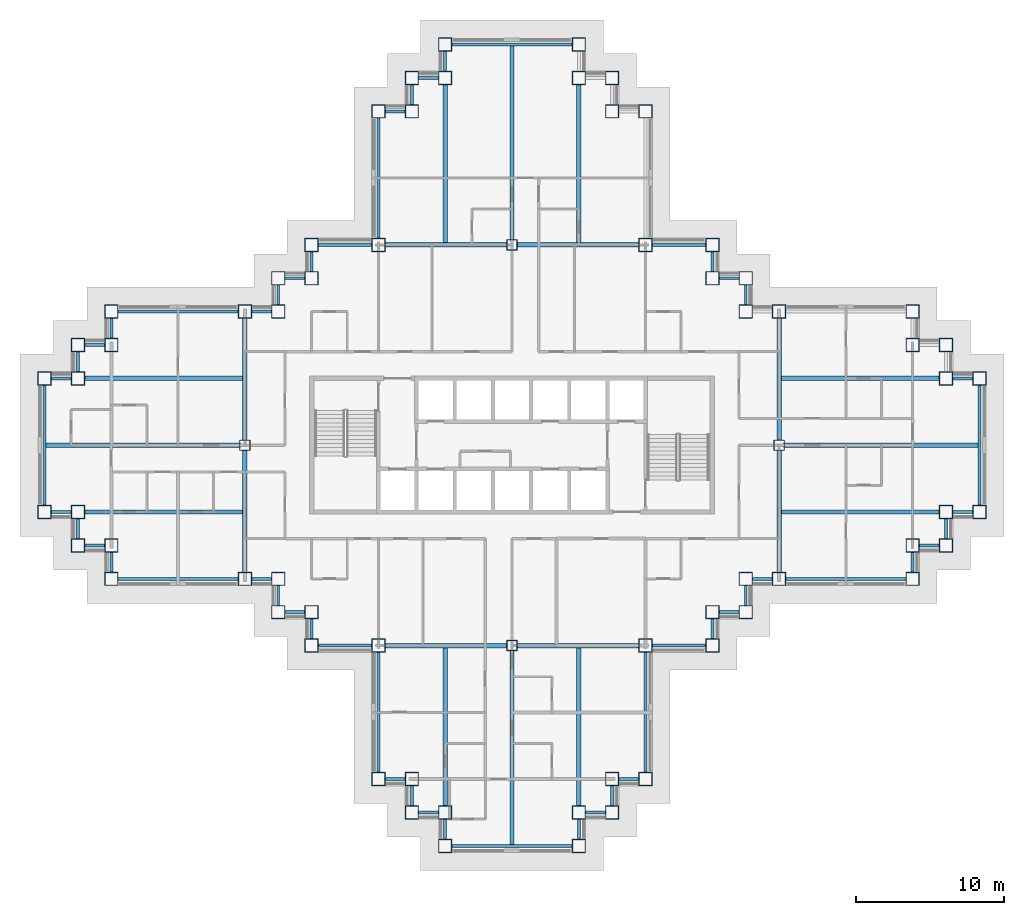
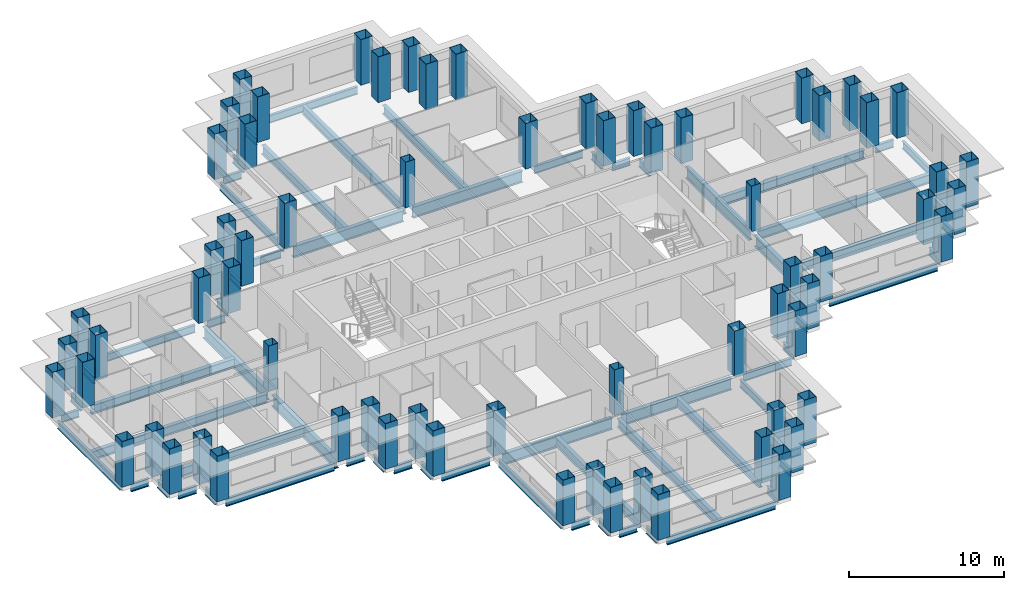
# One storey, part 1 of 15: 74 beams, 68 columns.
"""IFC4 building model written with IfcOpenShell, lengths in metres."""

from ifc_helpers import new_model, si_unit, direction, frame, origin, origin_2d, place, context, subcontext, project, spatial, hollow_rectangle, i_section, extrude, material, material_profile, profile_set, type_object, element, save


model = new_model("IFC4")

# Units and contexts
model_context = context("Model", 3, precision=1e-05, world=origin(), true_north=direction((0.0, 1.0)))
body_context = subcontext(model_context, "Body", "Model", "MODEL_VIEW")
ifc_project = project(units=[si_unit("LENGTHUNIT", "METRE"), si_unit("AREAUNIT", "SQUARE_METRE"), si_unit("VOLUMEUNIT", "CUBIC_METRE"), si_unit("PLANEANGLEUNIT", "RADIAN"), si_unit("MASSUNIT", "GRAM", prefix="KILO")], contexts=[model_context])

# Site, building, storey
site_placement = place(None, origin())
site = spatial("IfcSite", under=ifc_project, at=site_placement, CompositionType="ELEMENT")
building_placement = place(site_placement, origin())
building = spatial("IfcBuilding", under=site, at=building_placement, Name="Caravel Reach Hotel and Residences", CompositionType="ELEMENT")
storey_placement = place(building_placement, frame((0.0, 0.0, 104.39990234375)))
storey = spatial("IfcBuildingStorey", under=building, at=storey_placement, Name="L25", CompositionType="ELEMENT", Elevation=104.39990234375)

# Columns
ifc_material_1 = material(Name="Concrete-filled steel tube Q390B with Concrete C70 infill", Category="concrete")
ifc_material_profile_1 = material_profile(ifc_material_1, hollow_rectangle(XDim=0.699951171875, YDim=0.699951171875, WallThickness=0.02197265625, at=origin_2d()), Name="RHS 700x700x22")
ifc_profile_set_1 = profile_set([ifc_material_profile_1], Name="Concrete-filled steel tube Q390B with Concrete C70 infill")
column_type_1 = type_object("IfcColumnType", Name="CFT 700x700 Q390B C70", PredefinedType="COLUMN", material=ifc_profile_set_1)
for number, where, z_axis, x_axis, name in (
    (1, (31.5, 40.5, 0.0), (0.0, 0.0, 1.0), (1.0, 0.0, 0.0), "C6 column"),
    (2, (31.5, 13.5, 0.0), (0.0, 0.0, 1.0), (1.0, 0.0, 0.0), "C6 column"),
    (3, (13.5, 27.0, 0.0), (0.0, 0.0, 1.0), (1.0, 0.0, 0.0), "C6 column"),
    (4, (49.5, 27.0, 0.0), (0.0, 0.0, 1.0), (1.0, 0.0, 0.0), "C6 column"),
):
    element("IfcColumn", number, at=place(storey_placement, frame(where, z_axis=z_axis, x_axis=x_axis)), inside=storey, type_object=column_type_1, Name=name, PredefinedType="COLUMN", context=body_context, shape_type="SweptSolid", body=[
        extrude(hollow_rectangle(XDim=0.699951171875, YDim=0.699951171875, WallThickness=0.02197265625, at=origin_2d()), origin(), (0.0, 0.0, 1.0), 3.60009765625),
    ])
ifc_material_2 = material(Name="Concrete-filled steel tube Q390B with Concrete C70 infill", Category="concrete")
ifc_material_profile_2 = material_profile(ifc_material_2, hollow_rectangle(XDim=0.89990234375, YDim=0.89990234375, WallThickness=0.028076171875, at=origin_2d()), Name="RHS 900x900x28")
ifc_profile_set_2 = profile_set([ifc_material_profile_2], Name="Concrete-filled steel tube Q390B with Concrete C70 infill")
column_type_2 = type_object("IfcColumnType", Name="CFT 900x900 Q390B C70", PredefinedType="COLUMN", material=ifc_profile_set_2)
for number, where, z_axis, x_axis, name in (
    (5, (22.5, 4.5, 0.0), (0.0, 0.0, 1.0), (1.0, 0.0, 0.0), "C3 column"),
    (6, (24.75, 4.5, 0.0), (0.0, 0.0, 1.0), (1.0, 0.0, 0.0), "C3 column"),
    (7, (24.75, 2.25, 0.0), (0.0, 0.0, 1.0), (1.0, 0.0, 0.0), "C3 column"),
    (8, (27.0, 2.25, 0.0), (0.0, 0.0, 1.0), (1.0, 0.0, 0.0), "C3 column"),
    (9, (27.0, 0.0, 0.0), (0.0, 0.0, 1.0), (1.0, 0.0, 0.0), "C3 column"),
    (10, (36.0, 0.0, 0.0), (0.0, 0.0, 1.0), (1.0, 0.0, 0.0), "C3 column"),
    (11, (36.0, 2.25, 0.0), (0.0, 0.0, 1.0), (1.0, 0.0, 0.0), "C3 column"),
    (12, (38.25, 2.25, 0.0), (0.0, 0.0, 1.0), (1.0, 0.0, 0.0), "C3 column"),
    (13, (38.25, 4.5, 0.0), (0.0, 0.0, 1.0), (1.0, 0.0, 0.0), "C3 column"),
    (14, (40.5, 4.5, 0.0), (0.0, 0.0, 1.0), (1.0, 0.0, 0.0), "C3 column"),
    (15, (40.5, 13.5, 0.0), (0.0, 0.0, 1.0), (1.0, 0.0, 0.0), "C3 column"),
    (16, (45.0, 13.5, 0.0), (0.0, 0.0, 1.0), (1.0, 0.0, 0.0), "C3 column"),
    (17, (45.0, 15.75, 0.0), (0.0, 0.0, 1.0), (1.0, 0.0, 0.0), "C3 column"),
    (18, (47.25, 15.75, 0.0), (0.0, 0.0, 1.0), (1.0, 0.0, 0.0), "C3 column"),
    (19, (47.25, 18.0, 0.0), (0.0, 0.0, 1.0), (1.0, 0.0, 0.0), "C3 column"),
    (20, (49.5, 18.0, 0.0), (0.0, 0.0, 1.0), (1.0, 0.0, 0.0), "C3 column"),
    (21, (58.5, 18.0, 0.0), (0.0, 0.0, 1.0), (1.0, 0.0, 0.0), "C3 column"),
    (22, (58.5, 20.25, 0.0), (0.0, 0.0, 1.0), (1.0, 0.0, 0.0), "C3 column"),
    (23, (60.75, 20.25, 0.0), (0.0, 0.0, 1.0), (1.0, 0.0, 0.0), "C3 column"),
    (24, (60.75, 22.5, 0.0), (0.0, 0.0, 1.0), (1.0, 0.0, 0.0), "C3 column"),
    (25, (63.0, 22.5, 0.0), (0.0, 0.0, 1.0), (1.0, 0.0, 0.0), "C3 column"),
    (26, (63.0, 31.5, 0.0), (0.0, 0.0, 1.0), (1.0, 0.0, 0.0), "C3 column"),
    (27, (60.75, 31.5, 0.0), (0.0, 0.0, 1.0), (1.0, 0.0, 0.0), "C3 column"),
    (28, (60.75, 33.75, 0.0), (0.0, 0.0, 1.0), (1.0, 0.0, 0.0), "C3 column"),
    (29, (58.5, 33.75, 0.0), (0.0, 0.0, 1.0), (1.0, 0.0, 0.0), "C3 column"),
    (30, (58.5, 36.0, 0.0), (0.0, 0.0, 1.0), (1.0, 0.0, 0.0), "C3 column"),
    (31, (49.5, 36.0, 0.0), (0.0, 0.0, 1.0), (1.0, 0.0, 0.0), "C3 column"),
    (32, (47.25, 36.0, 0.0), (0.0, 0.0, 1.0), (1.0, 0.0, 0.0), "C3 column"),
    (33, (47.25, 38.25, 0.0), (0.0, 0.0, 1.0), (1.0, 0.0, 0.0), "C3 column"),
    (34, (45.0, 38.25, 0.0), (0.0, 0.0, 1.0), (1.0, 0.0, 0.0), "C3 column"),
    (35, (45.0, 40.5, 0.0), (0.0, 0.0, 1.0), (1.0, 0.0, 0.0), "C3 column"),
    (36, (40.5, 40.5, 0.0), (0.0, 0.0, 1.0), (1.0, 0.0, 0.0), "C3 column"),
    (37, (40.5, 49.5, 0.0), (0.0, 0.0, 1.0), (1.0, 0.0, 0.0), "C3 column"),
    (38, (38.25, 49.5, 0.0), (0.0, 0.0, 1.0), (1.0, 0.0, 0.0), "C3 column"),
    (39, (38.25, 51.75, 0.0), (0.0, 0.0, 1.0), (1.0, 0.0, 0.0), "C3 column"),
    (40, (36.0, 51.75, 0.0), (0.0, 0.0, 1.0), (1.0, 0.0, 0.0), "C3 column"),
    (41, (36.0, 54.0, 0.0), (0.0, 0.0, 1.0), (1.0, 0.0, 0.0), "C3 column"),
    (42, (27.0, 54.0, 0.0), (0.0, 0.0, 1.0), (1.0, 0.0, 0.0), "C3 column"),
    (43, (27.0, 51.75, 0.0), (0.0, 0.0, 1.0), (1.0, 0.0, 0.0), "C3 column"),
    (44, (24.75, 51.75, 0.0), (0.0, 0.0, 1.0), (1.0, 0.0, 0.0), "C3 column"),
    (45, (24.75, 49.5, 0.0), (0.0, 0.0, 1.0), (1.0, 0.0, 0.0), "C3 column"),
    (46, (22.5, 49.5, 0.0), (0.0, 0.0, 1.0), (1.0, 0.0, 0.0), "C3 column"),
    (47, (22.5, 40.5, 0.0), (0.0, 0.0, 1.0), (1.0, 0.0, 0.0), "C3 column"),
    (48, (18.0, 40.5, 0.0), (0.0, 0.0, 1.0), (1.0, 0.0, 0.0), "C3 column"),
    (49, (18.0, 38.25, 0.0), (0.0, 0.0, 1.0), (1.0, 0.0, 0.0), "C3 column"),
    (50, (15.75, 38.25, 0.0), (0.0, 0.0, 1.0), (1.0, 0.0, 0.0), "C3 column"),
    (51, (15.75, 36.0, 0.0), (0.0, 0.0, 1.0), (1.0, 0.0, 0.0), "C3 column"),
    (52, (13.5, 36.0, 0.0), (0.0, 0.0, 1.0), (1.0, 0.0, 0.0), "C3 column"),
    (53, (4.5, 36.0, 0.0), (0.0, 0.0, 1.0), (1.0, 0.0, 0.0), "C3 column"),
    (54, (4.5, 33.75, 0.0), (0.0, 0.0, 1.0), (1.0, 0.0, 0.0), "C3 column"),
    (55, (2.25, 33.75, 0.0), (0.0, 0.0, 1.0), (1.0, 0.0, 0.0), "C3 column"),
    (56, (2.25, 31.5, 0.0), (0.0, 0.0, 1.0), (1.0, 0.0, 0.0), "C3 column"),
    (57, (0.0, 31.5, 0.0), (0.0, 0.0, 1.0), (1.0, 0.0, 0.0), "C3 column"),
    (58, (0.0, 22.5, 0.0), (0.0, 0.0, 1.0), (1.0, 0.0, 0.0), "C3 column"),
    (59, (2.25, 22.5, 0.0), (0.0, 0.0, 1.0), (1.0, 0.0, 0.0), "C3 column"),
    (60, (2.25, 20.25, 0.0), (0.0, 0.0, 1.0), (1.0, 0.0, 0.0), "C3 column"),
    (61, (4.5, 20.25, 0.0), (0.0, 0.0, 1.0), (1.0, 0.0, 0.0), "C3 column"),
    (62, (4.5, 18.0, 0.0), (0.0, 0.0, 1.0), (1.0, 0.0, 0.0), "C3 column"),
    (63, (13.5, 18.0, 0.0), (0.0, 0.0, 1.0), (1.0, 0.0, 0.0), "C3 column"),
    (64, (15.75, 18.0, 0.0), (0.0, 0.0, 1.0), (1.0, 0.0, 0.0), "C3 column"),
    (65, (15.75, 15.75, 0.0), (0.0, 0.0, 1.0), (1.0, 0.0, 0.0), "C3 column"),
    (66, (18.0, 15.75, 0.0), (0.0, 0.0, 1.0), (1.0, 0.0, 0.0), "C3 column"),
    (67, (18.0, 13.5, 0.0), (0.0, 0.0, 1.0), (1.0, 0.0, 0.0), "C3 column"),
    (68, (22.5, 13.5, 0.0), (0.0, 0.0, 1.0), (1.0, 0.0, 0.0), "C3 column"),
):
    element("IfcColumn", number, at=place(storey_placement, frame(where, z_axis=z_axis, x_axis=x_axis)), inside=storey, type_object=column_type_2, Name=name, PredefinedType="COLUMN", context=body_context, shape_type="SweptSolid", body=[
        extrude(hollow_rectangle(XDim=0.89990234375, YDim=0.89990234375, WallThickness=0.028076171875, at=origin_2d()), origin(), (0.0, 0.0, 1.0), 3.60009765625),
    ])

# Beams
ifc_material_3 = material(Name="Structural steel Q355B", Category="steel")
ifc_material_profile_3 = material_profile(ifc_material_3, i_section(OverallWidth=0.300048828125, OverallDepth=0.699951171875, WebThickness=0.012939453125, FlangeThickness=0.02392578125, FilletRadius=0.01806640625, at=origin_2d()), Name="HN 700x300x13x24")
ifc_profile_set_3 = profile_set([ifc_material_profile_3], Name="Structural steel Q355B")
beam_type_1 = type_object("IfcBeamType", Name="Beam HN 700x300x13x24", PredefinedType="BEAM", material=ifc_profile_set_3)
beam_1_placement = place(storey_placement, frame((27.0, 40.60009765625, -0.64990234375), z_axis=(0.0, 1.0, 0.0), x_axis=(-1.0, 0.0, 0.0)))
element("IfcBeam", 69, at=beam_1_placement, inside=storey, type_object=beam_type_1, Name="B2 HN 700x300x13x24", PredefinedType="BEAM", context=body_context, shape_type="SweptSolid", body=[
    extrude(i_section(OverallWidth=0.300048828125, OverallDepth=0.699951171875, WebThickness=0.012939453125, FlangeThickness=0.02392578125, FilletRadius=0.01806640625, at=origin_2d()), origin(), (0.0, 0.0, 1.0), 10.75),
])
beam_2_placement = place(storey_placement, frame((31.5, 40.800048828125, -0.64990234375), z_axis=(0.0, 1.0, 0.0), x_axis=(-1.0, 0.0, 0.0)))
element("IfcBeam", 70, at=beam_2_placement, inside=storey, type_object=beam_type_1, Name="B2 HN 700x300x13x24", PredefinedType="BEAM", context=body_context, shape_type="SweptSolid", body=[
    extrude(i_section(OverallWidth=0.300048828125, OverallDepth=0.699951171875, WebThickness=0.012939453125, FlangeThickness=0.02392578125, FilletRadius=0.01806640625, at=origin_2d()), origin(), (0.0, 0.0, 1.0), 13.099853515625),
])
for number, where, z_axis, x_axis, name in (
    (71, (36.0, 40.60009765625, -0.64990234375), (0.0, 1.0, 0.0), (-1.0, 0.0, 0.0), "B2 HN 700x300x13x24"),
    (72, (27.0, 13.39990234375, -0.64990234375), (0.0, -1.0, 0.0), (1.0, 0.0, 0.0), "B2 HN 700x300x13x24"),
):
    element("IfcBeam", number, at=place(storey_placement, frame(where, z_axis=z_axis, x_axis=x_axis)), inside=storey, type_object=beam_type_1, Name=name, PredefinedType="BEAM", context=body_context, shape_type="SweptSolid", body=[
        extrude(i_section(OverallWidth=0.300048828125, OverallDepth=0.699951171875, WebThickness=0.012939453125, FlangeThickness=0.02392578125, FilletRadius=0.01806640625, at=origin_2d()), origin(), (0.0, 0.0, 1.0), 10.75),
    ])
beam_3_placement = place(storey_placement, frame((31.5, 13.199951171875, -0.64990234375), z_axis=(0.0, -1.0, 0.0), x_axis=(1.0, 0.0, 0.0)))
element("IfcBeam", 73, at=beam_3_placement, inside=storey, type_object=beam_type_1, Name="B2 HN 700x300x13x24", PredefinedType="BEAM", context=body_context, shape_type="SweptSolid", body=[
    extrude(i_section(OverallWidth=0.300048828125, OverallDepth=0.699951171875, WebThickness=0.012939453125, FlangeThickness=0.02392578125, FilletRadius=0.01806640625, at=origin_2d()), origin(), (0.0, 0.0, 1.0), 13.099853515625),
])
for number, where, z_axis, x_axis, name in (
    (74, (36.0, 13.39990234375, -0.64990234375), (0.0, -1.0, 0.0), (1.0, 0.0, 0.0), "B2 HN 700x300x13x24"),
    (75, (49.60009765625, 22.5, -0.64990234375), (1.0, 0.0, 0.0), (0.0, 1.0, 0.0), "B2 HN 700x300x13x24"),
):
    element("IfcBeam", number, at=place(storey_placement, frame(where, z_axis=z_axis, x_axis=x_axis)), inside=storey, type_object=beam_type_1, Name=name, PredefinedType="BEAM", context=body_context, shape_type="SweptSolid", body=[
        extrude(i_section(OverallWidth=0.300048828125, OverallDepth=0.699951171875, WebThickness=0.012939453125, FlangeThickness=0.02392578125, FilletRadius=0.01806640625, at=origin_2d()), origin(), (0.0, 0.0, 1.0), 10.75),
    ])
beam_4_placement = place(storey_placement, frame((49.800048828125, 27.0, -0.64990234375), z_axis=(1.0, 0.0, 0.0), x_axis=(0.0, 1.0, 0.0)))
element("IfcBeam", 76, at=beam_4_placement, inside=storey, type_object=beam_type_1, Name="B2 HN 700x300x13x24", PredefinedType="BEAM", context=body_context, shape_type="SweptSolid", body=[
    extrude(i_section(OverallWidth=0.300048828125, OverallDepth=0.699951171875, WebThickness=0.012939453125, FlangeThickness=0.02392578125, FilletRadius=0.01806640625, at=origin_2d()), origin(), (0.0, 0.0, 1.0), 13.099853515625),
])
for number, where, z_axis, x_axis, name in (
    (77, (49.60009765625, 31.5, -0.64990234375), (1.0, 0.0, 0.0), (0.0, 1.0, 0.0), "B2 HN 700x300x13x24"),
    (78, (13.39990234375, 22.5, -0.64990234375), (-1.0, 0.0, 0.0), (0.0, -1.0, 0.0), "B2 HN 700x300x13x24"),
):
    element("IfcBeam", number, at=place(storey_placement, frame(where, z_axis=z_axis, x_axis=x_axis)), inside=storey, type_object=beam_type_1, Name=name, PredefinedType="BEAM", context=body_context, shape_type="SweptSolid", body=[
        extrude(i_section(OverallWidth=0.300048828125, OverallDepth=0.699951171875, WebThickness=0.012939453125, FlangeThickness=0.02392578125, FilletRadius=0.01806640625, at=origin_2d()), origin(), (0.0, 0.0, 1.0), 10.75),
    ])
beam_5_placement = place(storey_placement, frame((13.199951171875, 27.0, -0.64990234375), z_axis=(-1.0, 0.0, 0.0), x_axis=(0.0, -1.0, 0.0)))
element("IfcBeam", 79, at=beam_5_placement, inside=storey, type_object=beam_type_1, Name="B2 HN 700x300x13x24", PredefinedType="BEAM", context=body_context, shape_type="SweptSolid", body=[
    extrude(i_section(OverallWidth=0.300048828125, OverallDepth=0.699951171875, WebThickness=0.012939453125, FlangeThickness=0.02392578125, FilletRadius=0.01806640625, at=origin_2d()), origin(), (0.0, 0.0, 1.0), 13.099853515625),
])
beam_6_placement = place(storey_placement, frame((13.39990234375, 31.5, -0.64990234375), z_axis=(-1.0, 0.0, 0.0), x_axis=(0.0, -1.0, 0.0)))
element("IfcBeam", 80, at=beam_6_placement, inside=storey, type_object=beam_type_1, Name="B2 HN 700x300x13x24", PredefinedType="BEAM", context=body_context, shape_type="SweptSolid", body=[
    extrude(i_section(OverallWidth=0.300048828125, OverallDepth=0.699951171875, WebThickness=0.012939453125, FlangeThickness=0.02392578125, FilletRadius=0.01806640625, at=origin_2d()), origin(), (0.0, 0.0, 1.0), 10.75),
])
ifc_material_4 = material(Name="Structural steel Q355B", Category="steel")
ifc_material_profile_4 = material_profile(ifc_material_4, i_section(OverallWidth=0.300048828125, OverallDepth=0.89990234375, WebThickness=0.01611328125, FlangeThickness=0.028076171875, FilletRadius=0.01806640625, at=origin_2d()), Name="HN 900x300x16x28")
ifc_profile_set_4 = profile_set([ifc_material_profile_4], Name="Structural steel Q355B")
beam_type_2 = type_object("IfcBeamType", Name="Beam HN 900x300x16x28", PredefinedType="BEAM", material=ifc_profile_set_4)
for number, where, z_axis, x_axis, name in (
    (81, (22.949951171875, 40.5, -0.75), (1.0, 0.0, 0.0), (0.0, 1.0, 0.0), "B3 HN 900x300x16x28"),
    (82, (31.85009765625, 40.5, -0.75), (1.0, 0.0, 0.0), (0.0, 1.0, 0.0), "B3 HN 900x300x16x28"),
    (83, (22.949951171875, 13.5, -0.75), (1.0, 0.0, 0.0), (0.0, 1.0, 0.0), "B3 HN 900x300x16x28"),
    (84, (31.85009765625, 13.5, -0.75), (1.0, 0.0, 0.0), (0.0, 1.0, 0.0), "B3 HN 900x300x16x28"),
    (85, (13.5, 18.449951171875, -0.75), (0.0, 1.0, 0.0), (-1.0, 0.0, 0.0), "B3 HN 900x300x16x28"),
    (86, (13.5, 27.35009765625, -0.75), (0.0, 1.0, 0.0), (-1.0, 0.0, 0.0), "B3 HN 900x300x16x28"),
    (87, (49.5, 18.449951171875, -0.75), (0.0, 1.0, 0.0), (-1.0, 0.0, 0.0), "B3 HN 900x300x16x28"),
    (88, (49.5, 27.35009765625, -0.75), (0.0, 1.0, 0.0), (-1.0, 0.0, 0.0), "B3 HN 900x300x16x28"),
):
    element("IfcBeam", number, at=place(storey_placement, frame(where, z_axis=z_axis, x_axis=x_axis)), inside=storey, type_object=beam_type_2, Name=name, PredefinedType="BEAM", context=body_context, shape_type="SweptSolid", body=[
        extrude(i_section(OverallWidth=0.300048828125, OverallDepth=0.89990234375, WebThickness=0.01611328125, FlangeThickness=0.028076171875, FilletRadius=0.01806640625, at=origin_2d()), origin(), (0.0, 0.0, 1.0), 8.199951171875),
    ])
ifc_material_5 = material(Name="Structural steel Q355B", Category="steel")
ifc_material_profile_5 = material_profile(ifc_material_5, i_section(OverallWidth=0.199951171875, OverallDepth=0.60009765625, WebThickness=0.010986328125, FlangeThickness=0.01708984375, FilletRadius=0.012939453125, at=origin_2d()), Name="HN 600x200x11x17")
ifc_profile_set_5 = profile_set([ifc_material_profile_5], Name="Structural steel Q355B")
beam_type_3 = type_object("IfcBeamType", Name="Spandrel beam HN 600x200x11x17", PredefinedType="SPANDREL", material=ifc_profile_set_5)
for number, where, z_axis, x_axis, name in (
    (89, (22.949951171875, 4.5, -0.599853515625), (1.0, 0.0, 0.0), (0.0, 1.0, 0.0), "SP1 HN 600x200x11x17"),
    (90, (24.75, 4.050048828125, -0.599853515625), (0.0, -1.0, 0.0), (1.0, 0.0, 0.0), "SP1 HN 600x200x11x17"),
    (91, (25.199951171875, 2.25, -0.599853515625), (1.0, 0.0, 0.0), (0.0, 1.0, 0.0), "SP1 HN 600x200x11x17"),
    (92, (27.0, 1.800048828125, -0.599853515625), (0.0, -1.0, 0.0), (1.0, 0.0, 0.0), "SP1 HN 600x200x11x17"),
):
    element("IfcBeam", number, at=place(storey_placement, frame(where, z_axis=z_axis, x_axis=x_axis)), inside=storey, type_object=beam_type_3, Name=name, PredefinedType="SPANDREL", context=body_context, shape_type="SweptSolid", body=[
        extrude(i_section(OverallWidth=0.199951171875, OverallDepth=0.60009765625, WebThickness=0.010986328125, FlangeThickness=0.01708984375, FilletRadius=0.012939453125, at=origin_2d()), origin(), (0.0, 0.0, 1.0), 1.35009765625),
    ])
beam_7_placement = place(storey_placement, frame((27.449951171875, 0.0, -0.599853515625), z_axis=(1.0, 0.0, 0.0), x_axis=(0.0, 1.0, 0.0)))
element("IfcBeam", 93, at=beam_7_placement, inside=storey, type_object=beam_type_3, Name="SP1 HN 600x200x11x17", PredefinedType="SPANDREL", context=body_context, shape_type="SweptSolid", body=[
    extrude(i_section(OverallWidth=0.199951171875, OverallDepth=0.60009765625, WebThickness=0.010986328125, FlangeThickness=0.01708984375, FilletRadius=0.012939453125, at=origin_2d()), origin(), (0.0, 0.0, 1.0), 8.10009765625),
])
for number, where, z_axis, x_axis, name in (
    (94, (36.0, 0.449951171875, -0.599853515625), (0.0, 1.0, 0.0), (-1.0, 0.0, 0.0), "SP1 HN 600x200x11x17"),
    (95, (36.449951171875, 2.25, -0.599853515625), (1.0, 0.0, 0.0), (0.0, 1.0, 0.0), "SP1 HN 600x200x11x17"),
    (96, (38.25, 2.699951171875, -0.599853515625), (0.0, 1.0, 0.0), (-1.0, 0.0, 0.0), "SP1 HN 600x200x11x17"),
    (97, (38.699951171875, 4.5, -0.599853515625), (1.0, 0.0, 0.0), (0.0, 1.0, 0.0), "SP1 HN 600x200x11x17"),
):
    element("IfcBeam", number, at=place(storey_placement, frame(where, z_axis=z_axis, x_axis=x_axis)), inside=storey, type_object=beam_type_3, Name=name, PredefinedType="SPANDREL", context=body_context, shape_type="SweptSolid", body=[
        extrude(i_section(OverallWidth=0.199951171875, OverallDepth=0.60009765625, WebThickness=0.010986328125, FlangeThickness=0.01708984375, FilletRadius=0.012939453125, at=origin_2d()), origin(), (0.0, 0.0, 1.0), 1.35009765625),
    ])
beam_8_placement = place(storey_placement, frame((40.5, 4.949951171875, -0.599853515625), z_axis=(0.0, 1.0, 0.0), x_axis=(-1.0, 0.0, 0.0)))
element("IfcBeam", 98, at=beam_8_placement, inside=storey, type_object=beam_type_3, Name="SP1 HN 600x200x11x17", PredefinedType="SPANDREL", context=body_context, shape_type="SweptSolid", body=[
    extrude(i_section(OverallWidth=0.199951171875, OverallDepth=0.60009765625, WebThickness=0.010986328125, FlangeThickness=0.01708984375, FilletRadius=0.012939453125, at=origin_2d()), origin(), (0.0, 0.0, 1.0), 8.10009765625),
])
beam_9_placement = place(storey_placement, frame((40.949951171875, 13.5, -0.599853515625), z_axis=(1.0, 0.0, 0.0), x_axis=(0.0, 1.0, 0.0)))
element("IfcBeam", 99, at=beam_9_placement, inside=storey, type_object=beam_type_3, Name="SP1 HN 600x200x11x17", PredefinedType="SPANDREL", context=body_context, shape_type="SweptSolid", body=[
    extrude(i_section(OverallWidth=0.199951171875, OverallDepth=0.60009765625, WebThickness=0.010986328125, FlangeThickness=0.01708984375, FilletRadius=0.012939453125, at=origin_2d()), origin(), (0.0, 0.0, 1.0), 3.60009765625),
])
for number, where, z_axis, x_axis, name in (
    (100, (45.0, 13.949951171875, -0.599853515625), (0.0, 1.0, 0.0), (-1.0, 0.0, 0.0), "SP1 HN 600x200x11x17"),
    (101, (45.449951171875, 15.75, -0.599853515625), (1.0, 0.0, 0.0), (0.0, 1.0, 0.0), "SP1 HN 600x200x11x17"),
    (102, (47.25, 16.199951171875, -0.599853515625), (0.0, 1.0, 0.0), (-1.0, 0.0, 0.0), "SP1 HN 600x200x11x17"),
    (103, (47.699951171875, 18.0, -0.599853515625), (1.0, 0.0, 0.0), (0.0, 1.0, 0.0), "SP1 HN 600x200x11x17"),
):
    element("IfcBeam", number, at=place(storey_placement, frame(where, z_axis=z_axis, x_axis=x_axis)), inside=storey, type_object=beam_type_3, Name=name, PredefinedType="SPANDREL", context=body_context, shape_type="SweptSolid", body=[
        extrude(i_section(OverallWidth=0.199951171875, OverallDepth=0.60009765625, WebThickness=0.010986328125, FlangeThickness=0.01708984375, FilletRadius=0.012939453125, at=origin_2d()), origin(), (0.0, 0.0, 1.0), 1.35009765625),
    ])
beam_10_placement = place(storey_placement, frame((49.949951171875, 18.0, -0.599853515625), z_axis=(1.0, 0.0, 0.0), x_axis=(0.0, 1.0, 0.0)))
element("IfcBeam", 104, at=beam_10_placement, inside=storey, type_object=beam_type_3, Name="SP1 HN 600x200x11x17", PredefinedType="SPANDREL", context=body_context, shape_type="SweptSolid", body=[
    extrude(i_section(OverallWidth=0.199951171875, OverallDepth=0.60009765625, WebThickness=0.010986328125, FlangeThickness=0.01708984375, FilletRadius=0.012939453125, at=origin_2d()), origin(), (0.0, 0.0, 1.0), 8.10009765625),
])
for number, where, z_axis, x_axis, name in (
    (105, (58.5, 18.449951171875, -0.599853515625), (0.0, 1.0, 0.0), (-1.0, 0.0, 0.0), "SP1 HN 600x200x11x17"),
    (106, (58.949951171875, 20.25, -0.599853515625), (1.0, 0.0, 0.0), (0.0, 1.0, 0.0), "SP1 HN 600x200x11x17"),
    (107, (60.75, 20.699951171875, -0.599853515625), (0.0, 1.0, 0.0), (-1.0, 0.0, 0.0), "SP1 HN 600x200x11x17"),
    (108, (61.199951171875, 22.5, -0.599853515625), (1.0, 0.0, 0.0), (0.0, 1.0, 0.0), "SP1 HN 600x200x11x17"),
):
    element("IfcBeam", number, at=place(storey_placement, frame(where, z_axis=z_axis, x_axis=x_axis)), inside=storey, type_object=beam_type_3, Name=name, PredefinedType="SPANDREL", context=body_context, shape_type="SweptSolid", body=[
        extrude(i_section(OverallWidth=0.199951171875, OverallDepth=0.60009765625, WebThickness=0.010986328125, FlangeThickness=0.01708984375, FilletRadius=0.012939453125, at=origin_2d()), origin(), (0.0, 0.0, 1.0), 1.35009765625),
    ])
beam_11_placement = place(storey_placement, frame((63.0, 22.949951171875, -0.599853515625), z_axis=(0.0, 1.0, 0.0), x_axis=(-1.0, 0.0, 0.0)))
element("IfcBeam", 109, at=beam_11_placement, inside=storey, type_object=beam_type_3, Name="SP1 HN 600x200x11x17", PredefinedType="SPANDREL", context=body_context, shape_type="SweptSolid", body=[
    extrude(i_section(OverallWidth=0.199951171875, OverallDepth=0.60009765625, WebThickness=0.010986328125, FlangeThickness=0.01708984375, FilletRadius=0.012939453125, at=origin_2d()), origin(), (0.0, 0.0, 1.0), 8.10009765625),
])
for number, where, z_axis, x_axis, name in (
    (110, (62.550048828125, 31.5, -0.599853515625), (-1.0, 0.0, 0.0), (0.0, -1.0, 0.0), "SP1 HN 600x200x11x17"),
    (111, (47.25, 36.449951171875, -0.599853515625), (0.0, 1.0, 0.0), (-1.0, 0.0, 0.0), "SP1 HN 600x200x11x17"),
    (112, (46.800048828125, 38.25, -0.599853515625), (-1.0, 0.0, 0.0), (0.0, -1.0, 0.0), "SP1 HN 600x200x11x17"),
    (113, (45.0, 38.699951171875, -0.599853515625), (0.0, 1.0, 0.0), (-1.0, 0.0, 0.0), "SP1 HN 600x200x11x17"),
):
    element("IfcBeam", number, at=place(storey_placement, frame(where, z_axis=z_axis, x_axis=x_axis)), inside=storey, type_object=beam_type_3, Name=name, PredefinedType="SPANDREL", context=body_context, shape_type="SweptSolid", body=[
        extrude(i_section(OverallWidth=0.199951171875, OverallDepth=0.60009765625, WebThickness=0.010986328125, FlangeThickness=0.01708984375, FilletRadius=0.012939453125, at=origin_2d()), origin(), (0.0, 0.0, 1.0), 1.35009765625),
    ])
beam_12_placement = place(storey_placement, frame((44.550048828125, 40.5, -0.599853515625), z_axis=(-1.0, 0.0, 0.0), x_axis=(0.0, -1.0, 0.0)))
element("IfcBeam", 114, at=beam_12_placement, inside=storey, type_object=beam_type_3, Name="SP1 HN 600x200x11x17", PredefinedType="SPANDREL", context=body_context, shape_type="SweptSolid", body=[
    extrude(i_section(OverallWidth=0.199951171875, OverallDepth=0.60009765625, WebThickness=0.010986328125, FlangeThickness=0.01708984375, FilletRadius=0.012939453125, at=origin_2d()), origin(), (0.0, 0.0, 1.0), 3.60009765625),
])
beam_13_placement = place(storey_placement, frame((35.550048828125, 54.0, -0.599853515625), z_axis=(-1.0, 0.0, 0.0), x_axis=(0.0, -1.0, 0.0)))
element("IfcBeam", 115, at=beam_13_placement, inside=storey, type_object=beam_type_3, Name="SP1 HN 600x200x11x17", PredefinedType="SPANDREL", context=body_context, shape_type="SweptSolid", body=[
    extrude(i_section(OverallWidth=0.199951171875, OverallDepth=0.60009765625, WebThickness=0.010986328125, FlangeThickness=0.01708984375, FilletRadius=0.012939453125, at=origin_2d()), origin(), (0.0, 0.0, 1.0), 8.10009765625),
])
for number, where, z_axis, x_axis, name in (
    (116, (27.0, 53.550048828125, -0.599853515625), (0.0, -1.0, 0.0), (1.0, 0.0, 0.0), "SP1 HN 600x200x11x17"),
    (117, (26.550048828125, 51.75, -0.599853515625), (-1.0, 0.0, 0.0), (0.0, -1.0, 0.0), "SP1 HN 600x200x11x17"),
    (118, (24.75, 51.300048828125, -0.599853515625), (0.0, -1.0, 0.0), (1.0, 0.0, 0.0), "SP1 HN 600x200x11x17"),
    (119, (24.300048828125, 49.5, -0.599853515625), (-1.0, 0.0, 0.0), (0.0, -1.0, 0.0), "SP1 HN 600x200x11x17"),
):
    element("IfcBeam", number, at=place(storey_placement, frame(where, z_axis=z_axis, x_axis=x_axis)), inside=storey, type_object=beam_type_3, Name=name, PredefinedType="SPANDREL", context=body_context, shape_type="SweptSolid", body=[
        extrude(i_section(OverallWidth=0.199951171875, OverallDepth=0.60009765625, WebThickness=0.010986328125, FlangeThickness=0.01708984375, FilletRadius=0.012939453125, at=origin_2d()), origin(), (0.0, 0.0, 1.0), 1.35009765625),
    ])
beam_14_placement = place(storey_placement, frame((22.5, 49.050048828125, -0.599853515625), z_axis=(0.0, -1.0, 0.0), x_axis=(1.0, 0.0, 0.0)))
element("IfcBeam", 120, at=beam_14_placement, inside=storey, type_object=beam_type_3, Name="SP1 HN 600x200x11x17", PredefinedType="SPANDREL", context=body_context, shape_type="SweptSolid", body=[
    extrude(i_section(OverallWidth=0.199951171875, OverallDepth=0.60009765625, WebThickness=0.010986328125, FlangeThickness=0.01708984375, FilletRadius=0.012939453125, at=origin_2d()), origin(), (0.0, 0.0, 1.0), 8.10009765625),
])
beam_15_placement = place(storey_placement, frame((22.050048828125, 40.5, -0.599853515625), z_axis=(-1.0, 0.0, 0.0), x_axis=(0.0, -1.0, 0.0)))
element("IfcBeam", 121, at=beam_15_placement, inside=storey, type_object=beam_type_3, Name="SP1 HN 600x200x11x17", PredefinedType="SPANDREL", context=body_context, shape_type="SweptSolid", body=[
    extrude(i_section(OverallWidth=0.199951171875, OverallDepth=0.60009765625, WebThickness=0.010986328125, FlangeThickness=0.01708984375, FilletRadius=0.012939453125, at=origin_2d()), origin(), (0.0, 0.0, 1.0), 3.60009765625),
])
for number, where, z_axis, x_axis, name in (
    (122, (18.0, 40.050048828125, -0.599853515625), (0.0, -1.0, 0.0), (1.0, 0.0, 0.0), "SP1 HN 600x200x11x17"),
    (123, (17.550048828125, 38.25, -0.599853515625), (-1.0, 0.0, 0.0), (0.0, -1.0, 0.0), "SP1 HN 600x200x11x17"),
    (124, (15.75, 37.800048828125, -0.599853515625), (0.0, -1.0, 0.0), (1.0, 0.0, 0.0), "SP1 HN 600x200x11x17"),
    (125, (15.300048828125, 36.0, -0.599853515625), (-1.0, 0.0, 0.0), (0.0, -1.0, 0.0), "SP1 HN 600x200x11x17"),
):
    element("IfcBeam", number, at=place(storey_placement, frame(where, z_axis=z_axis, x_axis=x_axis)), inside=storey, type_object=beam_type_3, Name=name, PredefinedType="SPANDREL", context=body_context, shape_type="SweptSolid", body=[
        extrude(i_section(OverallWidth=0.199951171875, OverallDepth=0.60009765625, WebThickness=0.010986328125, FlangeThickness=0.01708984375, FilletRadius=0.012939453125, at=origin_2d()), origin(), (0.0, 0.0, 1.0), 1.35009765625),
    ])
beam_16_placement = place(storey_placement, frame((13.050048828125, 36.0, -0.599853515625), z_axis=(-1.0, 0.0, 0.0), x_axis=(0.0, -1.0, 0.0)))
element("IfcBeam", 126, at=beam_16_placement, inside=storey, type_object=beam_type_3, Name="SP1 HN 600x200x11x17", PredefinedType="SPANDREL", context=body_context, shape_type="SweptSolid", body=[
    extrude(i_section(OverallWidth=0.199951171875, OverallDepth=0.60009765625, WebThickness=0.010986328125, FlangeThickness=0.01708984375, FilletRadius=0.012939453125, at=origin_2d()), origin(), (0.0, 0.0, 1.0), 8.10009765625),
])
for number, where, z_axis, x_axis, name in (
    (127, (4.5, 35.550048828125, -0.599853515625), (0.0, -1.0, 0.0), (1.0, 0.0, 0.0), "SP1 HN 600x200x11x17"),
    (128, (4.050048828125, 33.75, -0.599853515625), (-1.0, 0.0, 0.0), (0.0, -1.0, 0.0), "SP1 HN 600x200x11x17"),
    (129, (2.25, 33.300048828125, -0.599853515625), (0.0, -1.0, 0.0), (1.0, 0.0, 0.0), "SP1 HN 600x200x11x17"),
    (130, (1.800048828125, 31.5, -0.599853515625), (-1.0, 0.0, 0.0), (0.0, -1.0, 0.0), "SP1 HN 600x200x11x17"),
):
    element("IfcBeam", number, at=place(storey_placement, frame(where, z_axis=z_axis, x_axis=x_axis)), inside=storey, type_object=beam_type_3, Name=name, PredefinedType="SPANDREL", context=body_context, shape_type="SweptSolid", body=[
        extrude(i_section(OverallWidth=0.199951171875, OverallDepth=0.60009765625, WebThickness=0.010986328125, FlangeThickness=0.01708984375, FilletRadius=0.012939453125, at=origin_2d()), origin(), (0.0, 0.0, 1.0), 1.35009765625),
    ])
beam_17_placement = place(storey_placement, frame((0.0, 31.050048828125, -0.599853515625), z_axis=(0.0, -1.0, 0.0), x_axis=(1.0, 0.0, 0.0)))
element("IfcBeam", 131, at=beam_17_placement, inside=storey, type_object=beam_type_3, Name="SP1 HN 600x200x11x17", PredefinedType="SPANDREL", context=body_context, shape_type="SweptSolid", body=[
    extrude(i_section(OverallWidth=0.199951171875, OverallDepth=0.60009765625, WebThickness=0.010986328125, FlangeThickness=0.01708984375, FilletRadius=0.012939453125, at=origin_2d()), origin(), (0.0, 0.0, 1.0), 8.10009765625),
])
for number, where, z_axis, x_axis, name in (
    (132, (0.449951171875, 22.5, -0.599853515625), (1.0, 0.0, 0.0), (0.0, 1.0, 0.0), "SP1 HN 600x200x11x17"),
    (133, (2.25, 22.050048828125, -0.599853515625), (0.0, -1.0, 0.0), (1.0, 0.0, 0.0), "SP1 HN 600x200x11x17"),
    (134, (2.699951171875, 20.25, -0.599853515625), (1.0, 0.0, 0.0), (0.0, 1.0, 0.0), "SP1 HN 600x200x11x17"),
    (135, (4.5, 19.800048828125, -0.599853515625), (0.0, -1.0, 0.0), (1.0, 0.0, 0.0), "SP1 HN 600x200x11x17"),
):
    element("IfcBeam", number, at=place(storey_placement, frame(where, z_axis=z_axis, x_axis=x_axis)), inside=storey, type_object=beam_type_3, Name=name, PredefinedType="SPANDREL", context=body_context, shape_type="SweptSolid", body=[
        extrude(i_section(OverallWidth=0.199951171875, OverallDepth=0.60009765625, WebThickness=0.010986328125, FlangeThickness=0.01708984375, FilletRadius=0.012939453125, at=origin_2d()), origin(), (0.0, 0.0, 1.0), 1.35009765625),
    ])
beam_18_placement = place(storey_placement, frame((4.949951171875, 18.0, -0.599853515625), z_axis=(1.0, 0.0, 0.0), x_axis=(0.0, 1.0, 0.0)))
element("IfcBeam", 136, at=beam_18_placement, inside=storey, type_object=beam_type_3, Name="SP1 HN 600x200x11x17", PredefinedType="SPANDREL", context=body_context, shape_type="SweptSolid", body=[
    extrude(i_section(OverallWidth=0.199951171875, OverallDepth=0.60009765625, WebThickness=0.010986328125, FlangeThickness=0.01708984375, FilletRadius=0.012939453125, at=origin_2d()), origin(), (0.0, 0.0, 1.0), 8.10009765625),
])
for number, where, z_axis, x_axis, name in (
    (137, (13.949951171875, 18.0, -0.599853515625), (1.0, 0.0, 0.0), (0.0, 1.0, 0.0), "SP1 HN 600x200x11x17"),
    (138, (15.75, 17.550048828125, -0.599853515625), (0.0, -1.0, 0.0), (1.0, 0.0, 0.0), "SP1 HN 600x200x11x17"),
    (139, (16.199951171875, 15.75, -0.599853515625), (1.0, 0.0, 0.0), (0.0, 1.0, 0.0), "SP1 HN 600x200x11x17"),
    (140, (18.0, 15.300048828125, -0.599853515625), (0.0, -1.0, 0.0), (1.0, 0.0, 0.0), "SP1 HN 600x200x11x17"),
):
    element("IfcBeam", number, at=place(storey_placement, frame(where, z_axis=z_axis, x_axis=x_axis)), inside=storey, type_object=beam_type_3, Name=name, PredefinedType="SPANDREL", context=body_context, shape_type="SweptSolid", body=[
        extrude(i_section(OverallWidth=0.199951171875, OverallDepth=0.60009765625, WebThickness=0.010986328125, FlangeThickness=0.01708984375, FilletRadius=0.012939453125, at=origin_2d()), origin(), (0.0, 0.0, 1.0), 1.35009765625),
    ])
beam_19_placement = place(storey_placement, frame((18.449951171875, 13.5, -0.599853515625), z_axis=(1.0, 0.0, 0.0), x_axis=(0.0, 1.0, 0.0)))
element("IfcBeam", 141, at=beam_19_placement, inside=storey, type_object=beam_type_3, Name="SP1 HN 600x200x11x17", PredefinedType="SPANDREL", context=body_context, shape_type="SweptSolid", body=[
    extrude(i_section(OverallWidth=0.199951171875, OverallDepth=0.60009765625, WebThickness=0.010986328125, FlangeThickness=0.01708984375, FilletRadius=0.012939453125, at=origin_2d()), origin(), (0.0, 0.0, 1.0), 3.60009765625),
])
beam_20_placement = place(storey_placement, frame((22.5, 13.050048828125, -0.599853515625), z_axis=(0.0, -1.0, 0.0), x_axis=(1.0, 0.0, 0.0)))
element("IfcBeam", 142, at=beam_20_placement, inside=storey, type_object=beam_type_3, Name="SP1 HN 600x200x11x17", PredefinedType="SPANDREL", context=body_context, shape_type="SweptSolid", body=[
    extrude(i_section(OverallWidth=0.199951171875, OverallDepth=0.60009765625, WebThickness=0.010986328125, FlangeThickness=0.01708984375, FilletRadius=0.012939453125, at=origin_2d()), origin(), (0.0, 0.0, 1.0), 8.10009765625),
])

save(model, "model.ifc")
